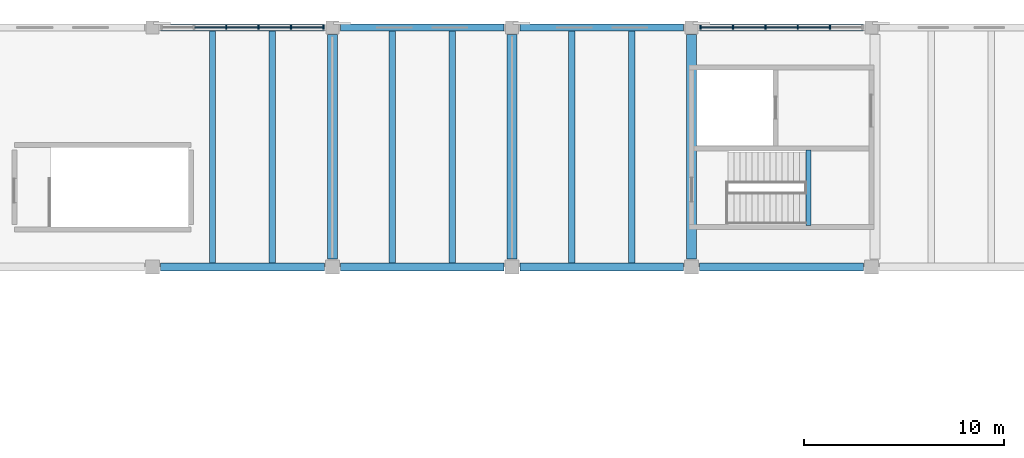
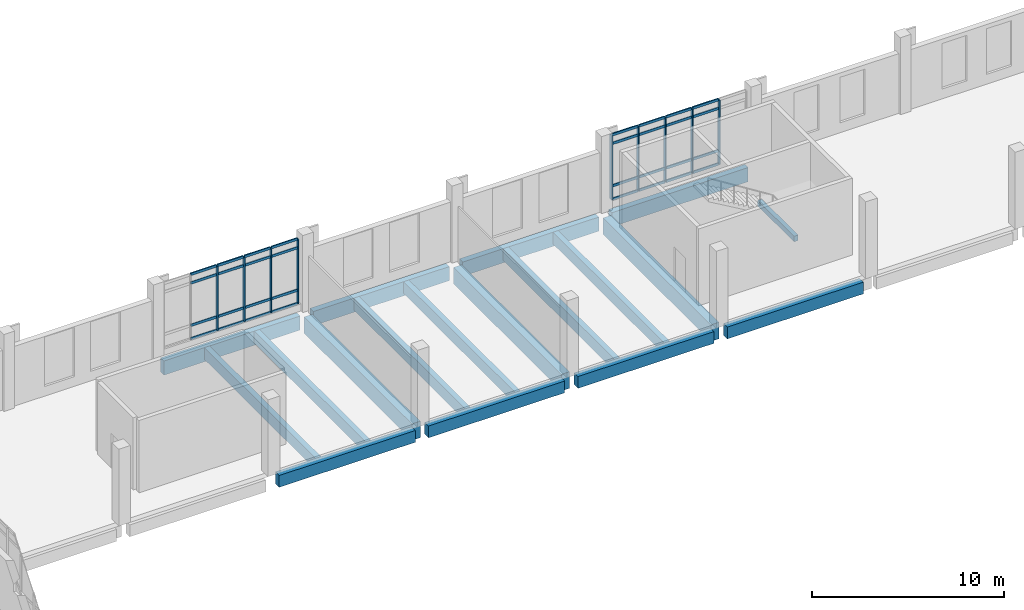
# One storey, part 51 of 110: 41 members, 18 beams, 2 elements without a shape of their own.
"""IFC4 building model written with IfcOpenShell, lengths in metres."""

from ifc_helpers import new_model, si_unit, direction, frame, origin, origin_2d, place, context, subcontext, project, spatial, rectangle, extrude, material, layer, layer_set, material_profile, profile_set, type_object, element, aggregate, save


model = new_model("IFC4")

# Units and contexts
model_context = context("Model", 3, precision=1e-05, world=origin(), true_north=direction((0.0, 1.0)))
body_context = subcontext(model_context, "Body", "Model", "MODEL_VIEW")
ifc_project = project(units=[si_unit("LENGTHUNIT", "METRE"), si_unit("AREAUNIT", "SQUARE_METRE"), si_unit("VOLUMEUNIT", "CUBIC_METRE"), si_unit("PLANEANGLEUNIT", "RADIAN"), si_unit("MASSUNIT", "GRAM", prefix="KILO")], contexts=[model_context])

# Site, building, storey
site_placement = place(None, origin())
site = spatial("IfcSite", under=ifc_project, at=site_placement, CompositionType="ELEMENT")
building_placement = place(site_placement, origin())
building = spatial("IfcBuilding", under=site, at=building_placement, Name="Zacnel Wholesale Market", CompositionType="ELEMENT")
storey_placement = place(building_placement, frame((0.0, 0.0, 6.300048828125)))
storey = spatial("IfcBuildingStorey", under=building, at=storey_placement, Name="L02", CompositionType="ELEMENT", Elevation=6.300048828125)

# Beams
ifc_material_1 = material(Name="Precast concrete C45/55", Category="concrete")
ifc_material_profile_1 = material_profile(ifc_material_1, rectangle(XDim=0.320068359375, YDim=0.75, at=origin_2d()), Name="DT RIB 320x750")
ifc_profile_set_1 = profile_set([ifc_material_profile_1], Name="Precast concrete C45/55")
beam_type_1 = type_object("IfcBeamType", Name="BM-DT750", PredefinedType="JOIST", material=ifc_profile_set_1)
for number, where, z_axis, x_axis, name in (
    (1, (93.0, 132.199951171875, -0.655029296875), (0.0, 1.0, 0.0), (-1.0, 0.0, 0.0), "Precast secondary joist L02-0327"),
    (2, (96.0, 132.199951171875, -0.655029296875), (0.0, 1.0, 0.0), (-1.0, 0.0, 0.0), "Precast secondary joist L02-0328"),
    (3, (102.0, 132.199951171875, -0.655029296875), (0.0, 1.0, 0.0), (-1.0, 0.0, 0.0), "Precast secondary joist L02-0329"),
    (4, (105.0, 132.199951171875, -0.655029296875), (0.0, 1.0, 0.0), (-1.0, 0.0, 0.0), "Precast secondary joist L02-0330"),
    (5, (111.0, 132.199951171875, -0.655029296875), (0.0, 1.0, 0.0), (-1.0, 0.0, 0.0), "Precast secondary joist L02-0331"),
    (6, (114.0, 132.199951171875, -0.655029296875), (0.0, 1.0, 0.0), (-1.0, 0.0, 0.0), "Precast secondary joist L02-0332"),
):
    element("IfcBeam", number, at=place(storey_placement, frame(where, z_axis=z_axis, x_axis=x_axis)), inside=storey, type_object=beam_type_1, Name=name, PredefinedType="JOIST", context=body_context, shape_type="SweptSolid", body=[
        extrude(rectangle(XDim=0.320068359375, YDim=0.75, at=origin_2d()), origin(), (0.0, 0.0, 1.0), 11.625),
    ])
ifc_material_2 = material(Name="Precast concrete C45/55", Category="concrete")
ifc_material_profile_2 = material_profile(ifc_material_2, rectangle(XDim=0.25, YDim=0.35009765625, at=origin_2d()), Name="LN 250x350")
ifc_profile_set_2 = profile_set([ifc_material_profile_2], Name="Precast concrete C45/55")
beam_type_2 = type_object("IfcBeamType", Name="BM-LN350", PredefinedType="LINTEL", material=ifc_profile_set_2)
beam_placement = place(storey_placement, frame((122.860107421875, 134.080078125, 2.074951171875), z_axis=(0.0, 1.0, 0.0), x_axis=(-1.0, 0.0, 0.0)))
element("IfcBeam", 7, at=beam_placement, inside=storey, type_object=beam_type_2, Name="Stair ST-28 half-landing bearing beam", PredefinedType="LINTEL", context=body_context, shape_type="SweptSolid", body=[
    extrude(rectangle(XDim=0.25, YDim=0.35009765625, at=origin_2d()), origin(), (0.0, 0.0, 1.0), 3.7900390625),
])
ifc_material_3 = material(Name="Precast concrete C45/55", Category="concrete")
ifc_material_profile_3 = material_profile(ifc_material_3, rectangle(XDim=0.5, YDim=1.050048828125, at=origin_2d()), Name="PG 500x1050")
ifc_profile_set_3 = profile_set([ifc_material_profile_3], Name="Precast concrete C45/55")
beam_type_3 = type_object("IfcBeamType", Name="BM-PG1050", PredefinedType="T_BEAM", material=ifc_profile_set_3)
for number, where, z_axis, x_axis, name in (
    (8, (99.0, 132.39990234375, -0.804931640625), (0.0, 1.0, 0.0), (-1.0, 0.0, 0.0), "Precast girder Y-0441"),
    (9, (108.0, 132.39990234375, -0.804931640625), (0.0, 1.0, 0.0), (-1.0, 0.0, 0.0), "Precast girder Y-0445"),
    (10, (117.0, 132.39990234375, -0.804931640625), (0.0, 1.0, 0.0), (-1.0, 0.0, 0.0), "Precast girder Y-0452"),
):
    element("IfcBeam", number, at=place(storey_placement, frame(where, z_axis=z_axis, x_axis=x_axis)), inside=storey, type_object=beam_type_3, Name=name, PredefinedType="T_BEAM", context=body_context, shape_type="SweptSolid", body=[
        extrude(rectangle(XDim=0.5, YDim=1.050048828125, at=origin_2d()), origin(), (0.0, 0.0, 1.0), 11.25),
    ])
ifc_material_4 = material(Name="Precast concrete C45/55", Category="concrete")
ifc_material_profile_4 = material_profile(ifc_material_4, rectangle(XDim=0.39990234375, YDim=0.75, at=origin_2d()), Name="PG 400x750")
ifc_profile_set_4 = profile_set([ifc_material_profile_4], Name="Precast concrete C45/55")
beam_type_4 = type_object("IfcBeamType", Name="BM-PG750", PredefinedType="BEAM", material=ifc_profile_set_4)
for number, where, z_axis, x_axis, name in (
    (11, (90.39990234375, 132.0, -0.655029296875), (1.0, 0.0, 0.0), (0.0, 1.0, 0.0), "Precast girder X-0268"),
    (12, (99.39990234375, 132.0, -0.655029296875), (1.0, 0.0, 0.0), (0.0, 1.0, 0.0), "Precast girder X-0269"),
    (13, (108.39990234375, 132.0, -0.655029296875), (1.0, 0.0, 0.0), (0.0, 1.0, 0.0), "Precast girder X-0270"),
    (14, (117.39990234375, 132.0, -0.655029296875), (1.0, 0.0, 0.0), (0.0, 1.0, 0.0), "Precast girder X-0271"),
):
    element("IfcBeam", number, at=place(storey_placement, frame(where, z_axis=z_axis, x_axis=x_axis)), inside=storey, type_object=beam_type_4, Name=name, PredefinedType="BEAM", context=body_context, shape_type="SweptSolid", body=[
        extrude(rectangle(XDim=0.39990234375, YDim=0.75, at=origin_2d()), origin(), (0.0, 0.0, 1.0), 8.2001953125),
    ])
ifc_material_5 = material(Name="Precast concrete C45/55", Category="concrete")
ifc_material_profile_5 = material_profile(ifc_material_5, rectangle(XDim=0.35009765625, YDim=0.89990234375, at=origin_2d()), Name="SP 350x900")
ifc_profile_set_5 = profile_set([ifc_material_profile_5], Name="Precast concrete C45/55")
beam_type_5 = type_object("IfcBeamType", Name="BM-SP900", PredefinedType="SPANDREL", material=ifc_profile_set_5)
for number, where, z_axis, x_axis, name in (
    (15, (90.39990234375, 144.0, -0.72998046875), (1.0, 0.0, 0.0), (0.0, 1.0, 0.0), "Precast girder X-0289"),
    (16, (99.39990234375, 144.0, -0.72998046875), (1.0, 0.0, 0.0), (0.0, 1.0, 0.0), "Precast girder X-0290"),
    (17, (108.39990234375, 144.0, -0.72998046875), (1.0, 0.0, 0.0), (0.0, 1.0, 0.0), "Precast girder X-0291"),
    (18, (117.39990234375, 144.0, -0.72998046875), (1.0, 0.0, 0.0), (0.0, 1.0, 0.0), "Precast girder X-0292"),
):
    element("IfcBeam", number, at=place(storey_placement, frame(where, z_axis=z_axis, x_axis=x_axis)), inside=storey, type_object=beam_type_5, Name=name, PredefinedType="SPANDREL", context=body_context, shape_type="SweptSolid", body=[
        extrude(rectangle(XDim=0.35009765625, YDim=0.89990234375, at=origin_2d()), origin(), (0.0, 0.0, 1.0), 8.2001953125),
    ])

# Curtain wall, members
ifc_material_6 = material(Name="Anodised aluminium", Category="aluminium")
ifc_layer = layer(ifc_material_6, 0.159912109375)
ifc_layer_set = layer_set([ifc_layer], Name="Anodised aluminium")
curtain_wall_type = type_object("IfcCurtainWallType", Name="CW-COURT-4500", PredefinedType="NOTDEFINED", material=ifc_layer_set)
curtain_wall_1_placement = place(storey_placement, origin())
curtain_wall_1 = element("IfcCurtainWall", 19, at=curtain_wall_1_placement, inside=storey, type_object=curtain_wall_type, Name="Curtain wall ENV-R2-CW-L02-035", PredefinedType="NOTDEFINED")
ifc_material_7 = material(Name="Anodised aluminium", Category="aluminium")
ifc_material_profile_6 = material_profile(ifc_material_7, rectangle(XDim=0.070068359375, YDim=0.199951171875, at=origin_2d()), Name="AW-MULLION 70x200")
ifc_profile_set_6 = profile_set([ifc_material_profile_6], Name="Anodised aluminium")
member_type_1 = type_object("IfcMemberType", Name="CWM-MUL-02", PredefinedType="MULLION", material=ifc_profile_set_6)
member_1_placement = place(storey_placement, frame((93.68994140625, 144.0, 0.449951171875), z_axis=(0.0, 0.0, 1.0), x_axis=(1.0, 0.0, 0.0)))
member_1 = element("IfcMember", 20, at=member_1_placement, type_object=member_type_1, Name="ENV-R2-CW-L02-035 mullion 03", PredefinedType="MULLION", context=body_context, shape_type="SweptSolid", body=[
    extrude(rectangle(XDim=0.070068359375, YDim=0.199951171875, at=origin_2d()), origin(), (0.0, 0.0, 1.0), 4.10009765625),
])
member_2_placement = place(storey_placement, frame((95.31005859375, 144.0, 0.449951171875), z_axis=(0.0, 0.0, 1.0), x_axis=(1.0, 0.0, 0.0)))
member_2 = element("IfcMember", 21, at=member_2_placement, type_object=member_type_1, Name="ENV-R2-CW-L02-035 mullion 04", PredefinedType="MULLION", context=body_context, shape_type="SweptSolid", body=[
    extrude(rectangle(XDim=0.070068359375, YDim=0.199951171875, at=origin_2d()), origin(), (0.0, 0.0, 1.0), 4.10009765625),
])
member_3_placement = place(storey_placement, frame((96.929931640625, 144.0, 0.449951171875), z_axis=(0.0, 0.0, 1.0), x_axis=(1.0, 0.0, 0.0)))
member_3 = element("IfcMember", 22, at=member_3_placement, type_object=member_type_1, Name="ENV-R2-CW-L02-035 mullion 05", PredefinedType="MULLION", context=body_context, shape_type="SweptSolid", body=[
    extrude(rectangle(XDim=0.070068359375, YDim=0.199951171875, at=origin_2d()), origin(), (0.0, 0.0, 1.0), 4.10009765625),
])
member_4_placement = place(storey_placement, frame((98.550048828125, 144.0, 0.449951171875), z_axis=(0.0, 0.0, 1.0), x_axis=(1.0, 0.0, 0.0)))
member_4 = element("IfcMember", 23, at=member_4_placement, type_object=member_type_1, Name="ENV-R2-CW-L02-035 mullion 06", PredefinedType="MULLION", context=body_context, shape_type="SweptSolid", body=[
    extrude(rectangle(XDim=0.070068359375, YDim=0.199951171875, at=origin_2d()), origin(), (0.0, 0.0, 1.0), 4.10009765625),
])

curtain_wall_2_placement = place(storey_placement, origin())
curtain_wall_2 = element("IfcCurtainWall", 24, at=curtain_wall_2_placement, inside=storey, type_object=curtain_wall_type, Name="Curtain wall ENV-R2-CW-L02-036", PredefinedType="NOTDEFINED")
member_5_placement = place(storey_placement, frame((117.449951171875, 144.0, 0.449951171875), z_axis=(0.0, 0.0, 1.0), x_axis=(1.0, 0.0, 0.0)))
member_5 = element("IfcMember", 25, at=member_5_placement, type_object=member_type_1, Name="ENV-R2-CW-L02-036 mullion 01", PredefinedType="MULLION", context=body_context, shape_type="SweptSolid", body=[
    extrude(rectangle(XDim=0.070068359375, YDim=0.199951171875, at=origin_2d()), origin(), (0.0, 0.0, 1.0), 4.10009765625),
])
member_6_placement = place(storey_placement, frame((119.070068359375, 144.0, 0.449951171875), z_axis=(0.0, 0.0, 1.0), x_axis=(1.0, 0.0, 0.0)))
member_6 = element("IfcMember", 26, at=member_6_placement, type_object=member_type_1, Name="ENV-R2-CW-L02-036 mullion 02", PredefinedType="MULLION", context=body_context, shape_type="SweptSolid", body=[
    extrude(rectangle(XDim=0.070068359375, YDim=0.199951171875, at=origin_2d()), origin(), (0.0, 0.0, 1.0), 4.10009765625),
])
member_7_placement = place(storey_placement, frame((120.68994140625, 144.0, 0.449951171875), z_axis=(0.0, 0.0, 1.0), x_axis=(1.0, 0.0, 0.0)))
member_7 = element("IfcMember", 27, at=member_7_placement, type_object=member_type_1, Name="ENV-R2-CW-L02-036 mullion 03", PredefinedType="MULLION", context=body_context, shape_type="SweptSolid", body=[
    extrude(rectangle(XDim=0.070068359375, YDim=0.199951171875, at=origin_2d()), origin(), (0.0, 0.0, 1.0), 4.10009765625),
])
member_8_placement = place(storey_placement, frame((122.31005859375, 144.0, 0.449951171875), z_axis=(0.0, 0.0, 1.0), x_axis=(1.0, 0.0, 0.0)))
member_8 = element("IfcMember", 28, at=member_8_placement, type_object=member_type_1, Name="ENV-R2-CW-L02-036 mullion 04", PredefinedType="MULLION", context=body_context, shape_type="SweptSolid", body=[
    extrude(rectangle(XDim=0.070068359375, YDim=0.199951171875, at=origin_2d()), origin(), (0.0, 0.0, 1.0), 4.10009765625),
])
member_9_placement = place(storey_placement, frame((123.929931640625, 144.0, 0.449951171875), z_axis=(0.0, 0.0, 1.0), x_axis=(1.0, 0.0, 0.0)))
member_9 = element("IfcMember", 29, at=member_9_placement, type_object=member_type_1, Name="ENV-R2-CW-L02-036 mullion 05", PredefinedType="MULLION", context=body_context, shape_type="SweptSolid", body=[
    extrude(rectangle(XDim=0.070068359375, YDim=0.199951171875, at=origin_2d()), origin(), (0.0, 0.0, 1.0), 4.10009765625),
])

# Member
ifc_material_8 = material(Name="Anodised aluminium", Category="aluminium")
ifc_material_profile_7 = material_profile(ifc_material_8, rectangle(XDim=0.070068359375, YDim=0.159912109375, at=origin_2d()), Name="AW-TRANSOM 70x160")
ifc_profile_set_7 = profile_set([ifc_material_profile_7], Name="Anodised aluminium")
member_type_2 = type_object("IfcMemberType", Name="CWM-TRN-02", PredefinedType="USERDEFINED", material=ifc_profile_set_7)
member_10_placement = place(storey_placement, frame((92.10498046875, 144.0, 0.449951171875), z_axis=(1.0, 0.0, 0.0), x_axis=(0.0, 1.0, 0.0)))
member_10 = element("IfcMember", 30, at=member_10_placement, type_object=member_type_2, Name="ENV-R2-CW-L02-035 transom 2-1", ObjectType="TRANSOM", PredefinedType="USERDEFINED", context=body_context, shape_type="SweptSolid", body=[
    extrude(rectangle(XDim=0.070068359375, YDim=0.159912109375, at=origin_2d()), origin(), (0.0, 0.0, 1.0), 1.550048828125),
])

member_11_placement = place(storey_placement, frame((92.10498046875, 144.0, 1.300048828125), z_axis=(1.0, 0.0, 0.0), x_axis=(0.0, 1.0, 0.0)))
member_11 = element("IfcMember", 31, at=member_11_placement, type_object=member_type_2, Name="ENV-R2-CW-L02-035 transom 2-2", ObjectType="TRANSOM", PredefinedType="USERDEFINED", context=body_context, shape_type="SweptSolid", body=[
    extrude(rectangle(XDim=0.070068359375, YDim=0.159912109375, at=origin_2d()), origin(), (0.0, 0.0, 1.0), 1.550048828125),
])

member_12_placement = place(storey_placement, frame((92.10498046875, 144.0, 4.0), z_axis=(1.0, 0.0, 0.0), x_axis=(0.0, 1.0, 0.0)))
member_12 = element("IfcMember", 32, at=member_12_placement, type_object=member_type_2, Name="ENV-R2-CW-L02-035 transom 2-3", ObjectType="TRANSOM", PredefinedType="USERDEFINED", context=body_context, shape_type="SweptSolid", body=[
    extrude(rectangle(XDim=0.070068359375, YDim=0.159912109375, at=origin_2d()), origin(), (0.0, 0.0, 1.0), 1.550048828125),
])

member_13_placement = place(storey_placement, frame((92.10498046875, 144.0, 4.550048828125), z_axis=(1.0, 0.0, 0.0), x_axis=(0.0, 1.0, 0.0)))
member_13 = element("IfcMember", 33, at=member_13_placement, type_object=member_type_2, Name="ENV-R2-CW-L02-035 transom 2-4", ObjectType="TRANSOM", PredefinedType="USERDEFINED", context=body_context, shape_type="SweptSolid", body=[
    extrude(rectangle(XDim=0.070068359375, YDim=0.159912109375, at=origin_2d()), origin(), (0.0, 0.0, 1.0), 1.550048828125),
])

member_14_placement = place(storey_placement, frame((93.72509765625, 144.0, 0.449951171875), z_axis=(1.0, 0.0, 0.0), x_axis=(0.0, 1.0, 0.0)))
member_14 = element("IfcMember", 34, at=member_14_placement, type_object=member_type_2, Name="ENV-R2-CW-L02-035 transom 3-1", ObjectType="TRANSOM", PredefinedType="USERDEFINED", context=body_context, shape_type="SweptSolid", body=[
    extrude(rectangle(XDim=0.070068359375, YDim=0.159912109375, at=origin_2d()), origin(), (0.0, 0.0, 1.0), 1.5498046875),
])

member_15_placement = place(storey_placement, frame((93.72509765625, 144.0, 1.300048828125), z_axis=(1.0, 0.0, 0.0), x_axis=(0.0, 1.0, 0.0)))
member_15 = element("IfcMember", 35, at=member_15_placement, type_object=member_type_2, Name="ENV-R2-CW-L02-035 transom 3-2", ObjectType="TRANSOM", PredefinedType="USERDEFINED", context=body_context, shape_type="SweptSolid", body=[
    extrude(rectangle(XDim=0.070068359375, YDim=0.159912109375, at=origin_2d()), origin(), (0.0, 0.0, 1.0), 1.5498046875),
])

member_16_placement = place(storey_placement, frame((93.72509765625, 144.0, 4.0), z_axis=(1.0, 0.0, 0.0), x_axis=(0.0, 1.0, 0.0)))
member_16 = element("IfcMember", 36, at=member_16_placement, type_object=member_type_2, Name="ENV-R2-CW-L02-035 transom 3-3", ObjectType="TRANSOM", PredefinedType="USERDEFINED", context=body_context, shape_type="SweptSolid", body=[
    extrude(rectangle(XDim=0.070068359375, YDim=0.159912109375, at=origin_2d()), origin(), (0.0, 0.0, 1.0), 1.5498046875),
])

member_17_placement = place(storey_placement, frame((93.72509765625, 144.0, 4.550048828125), z_axis=(1.0, 0.0, 0.0), x_axis=(0.0, 1.0, 0.0)))
member_17 = element("IfcMember", 37, at=member_17_placement, type_object=member_type_2, Name="ENV-R2-CW-L02-035 transom 3-4", ObjectType="TRANSOM", PredefinedType="USERDEFINED", context=body_context, shape_type="SweptSolid", body=[
    extrude(rectangle(XDim=0.070068359375, YDim=0.159912109375, at=origin_2d()), origin(), (0.0, 0.0, 1.0), 1.5498046875),
])

member_18_placement = place(storey_placement, frame((95.344970703125, 144.0, 0.449951171875), z_axis=(1.0, 0.0, 0.0), x_axis=(0.0, 1.0, 0.0)))
member_18 = element("IfcMember", 38, at=member_18_placement, type_object=member_type_2, Name="ENV-R2-CW-L02-035 transom 4-1", ObjectType="TRANSOM", PredefinedType="USERDEFINED", context=body_context, shape_type="SweptSolid", body=[
    extrude(rectangle(XDim=0.070068359375, YDim=0.159912109375, at=origin_2d()), origin(), (0.0, 0.0, 1.0), 1.550048828125),
])

member_19_placement = place(storey_placement, frame((95.344970703125, 144.0, 1.300048828125), z_axis=(1.0, 0.0, 0.0), x_axis=(0.0, 1.0, 0.0)))
member_19 = element("IfcMember", 39, at=member_19_placement, type_object=member_type_2, Name="ENV-R2-CW-L02-035 transom 4-2", ObjectType="TRANSOM", PredefinedType="USERDEFINED", context=body_context, shape_type="SweptSolid", body=[
    extrude(rectangle(XDim=0.070068359375, YDim=0.159912109375, at=origin_2d()), origin(), (0.0, 0.0, 1.0), 1.550048828125),
])

member_20_placement = place(storey_placement, frame((95.344970703125, 144.0, 4.0), z_axis=(1.0, 0.0, 0.0), x_axis=(0.0, 1.0, 0.0)))
member_20 = element("IfcMember", 40, at=member_20_placement, type_object=member_type_2, Name="ENV-R2-CW-L02-035 transom 4-3", ObjectType="TRANSOM", PredefinedType="USERDEFINED", context=body_context, shape_type="SweptSolid", body=[
    extrude(rectangle(XDim=0.070068359375, YDim=0.159912109375, at=origin_2d()), origin(), (0.0, 0.0, 1.0), 1.550048828125),
])

member_21_placement = place(storey_placement, frame((95.344970703125, 144.0, 4.550048828125), z_axis=(1.0, 0.0, 0.0), x_axis=(0.0, 1.0, 0.0)))
member_21 = element("IfcMember", 41, at=member_21_placement, type_object=member_type_2, Name="ENV-R2-CW-L02-035 transom 4-4", ObjectType="TRANSOM", PredefinedType="USERDEFINED", context=body_context, shape_type="SweptSolid", body=[
    extrude(rectangle(XDim=0.070068359375, YDim=0.159912109375, at=origin_2d()), origin(), (0.0, 0.0, 1.0), 1.550048828125),
])

member_22_placement = place(storey_placement, frame((96.965087890625, 144.0, 0.449951171875), z_axis=(1.0, 0.0, 0.0), x_axis=(0.0, 1.0, 0.0)))
member_22 = element("IfcMember", 42, at=member_22_placement, type_object=member_type_2, Name="ENV-R2-CW-L02-035 transom 5-1", ObjectType="TRANSOM", PredefinedType="USERDEFINED", context=body_context, shape_type="SweptSolid", body=[
    extrude(rectangle(XDim=0.070068359375, YDim=0.159912109375, at=origin_2d()), origin(), (0.0, 0.0, 1.0), 1.5498046875),
])

member_23_placement = place(storey_placement, frame((96.965087890625, 144.0, 1.300048828125), z_axis=(1.0, 0.0, 0.0), x_axis=(0.0, 1.0, 0.0)))
member_23 = element("IfcMember", 43, at=member_23_placement, type_object=member_type_2, Name="ENV-R2-CW-L02-035 transom 5-2", ObjectType="TRANSOM", PredefinedType="USERDEFINED", context=body_context, shape_type="SweptSolid", body=[
    extrude(rectangle(XDim=0.070068359375, YDim=0.159912109375, at=origin_2d()), origin(), (0.0, 0.0, 1.0), 1.5498046875),
])

member_24_placement = place(storey_placement, frame((96.965087890625, 144.0, 4.0), z_axis=(1.0, 0.0, 0.0), x_axis=(0.0, 1.0, 0.0)))
member_24 = element("IfcMember", 44, at=member_24_placement, type_object=member_type_2, Name="ENV-R2-CW-L02-035 transom 5-3", ObjectType="TRANSOM", PredefinedType="USERDEFINED", context=body_context, shape_type="SweptSolid", body=[
    extrude(rectangle(XDim=0.070068359375, YDim=0.159912109375, at=origin_2d()), origin(), (0.0, 0.0, 1.0), 1.5498046875),
])

member_25_placement = place(storey_placement, frame((96.965087890625, 144.0, 4.550048828125), z_axis=(1.0, 0.0, 0.0), x_axis=(0.0, 1.0, 0.0)))
member_25 = element("IfcMember", 45, at=member_25_placement, type_object=member_type_2, Name="ENV-R2-CW-L02-035 transom 5-4", ObjectType="TRANSOM", PredefinedType="USERDEFINED", context=body_context, shape_type="SweptSolid", body=[
    extrude(rectangle(XDim=0.070068359375, YDim=0.159912109375, at=origin_2d()), origin(), (0.0, 0.0, 1.0), 1.5498046875),
])

aggregate(curtain_wall_1, [member_1, member_2, member_3, member_4, member_10, member_11, member_12, member_13, member_14, member_15, member_16, member_17, member_18, member_19, member_20, member_21, member_22, member_23, member_24, member_25])

member_26_placement = place(storey_placement, frame((117.485107421875, 144.0, 0.449951171875), z_axis=(1.0, 0.0, 0.0), x_axis=(0.0, 1.0, 0.0)))
member_26 = element("IfcMember", 46, at=member_26_placement, type_object=member_type_2, Name="ENV-R2-CW-L02-036 transom 1-1", ObjectType="TRANSOM", PredefinedType="USERDEFINED", context=body_context, shape_type="SweptSolid", body=[
    extrude(rectangle(XDim=0.070068359375, YDim=0.159912109375, at=origin_2d()), origin(), (0.0, 0.0, 1.0), 1.5498046875),
])

member_27_placement = place(storey_placement, frame((117.485107421875, 144.0, 1.300048828125), z_axis=(1.0, 0.0, 0.0), x_axis=(0.0, 1.0, 0.0)))
member_27 = element("IfcMember", 47, at=member_27_placement, type_object=member_type_2, Name="ENV-R2-CW-L02-036 transom 1-2", ObjectType="TRANSOM", PredefinedType="USERDEFINED", context=body_context, shape_type="SweptSolid", body=[
    extrude(rectangle(XDim=0.070068359375, YDim=0.159912109375, at=origin_2d()), origin(), (0.0, 0.0, 1.0), 1.5498046875),
])

member_28_placement = place(storey_placement, frame((117.485107421875, 144.0, 4.0), z_axis=(1.0, 0.0, 0.0), x_axis=(0.0, 1.0, 0.0)))
member_28 = element("IfcMember", 48, at=member_28_placement, type_object=member_type_2, Name="ENV-R2-CW-L02-036 transom 1-3", ObjectType="TRANSOM", PredefinedType="USERDEFINED", context=body_context, shape_type="SweptSolid", body=[
    extrude(rectangle(XDim=0.070068359375, YDim=0.159912109375, at=origin_2d()), origin(), (0.0, 0.0, 1.0), 1.5498046875),
])

member_29_placement = place(storey_placement, frame((117.485107421875, 144.0, 4.550048828125), z_axis=(1.0, 0.0, 0.0), x_axis=(0.0, 1.0, 0.0)))
member_29 = element("IfcMember", 49, at=member_29_placement, type_object=member_type_2, Name="ENV-R2-CW-L02-036 transom 1-4", ObjectType="TRANSOM", PredefinedType="USERDEFINED", context=body_context, shape_type="SweptSolid", body=[
    extrude(rectangle(XDim=0.070068359375, YDim=0.159912109375, at=origin_2d()), origin(), (0.0, 0.0, 1.0), 1.5498046875),
])

member_30_placement = place(storey_placement, frame((119.10498046875, 144.0, 0.449951171875), z_axis=(1.0, 0.0, 0.0), x_axis=(0.0, 1.0, 0.0)))
member_30 = element("IfcMember", 50, at=member_30_placement, type_object=member_type_2, Name="ENV-R2-CW-L02-036 transom 2-1", ObjectType="TRANSOM", PredefinedType="USERDEFINED", context=body_context, shape_type="SweptSolid", body=[
    extrude(rectangle(XDim=0.070068359375, YDim=0.159912109375, at=origin_2d()), origin(), (0.0, 0.0, 1.0), 1.550048828125),
])

member_31_placement = place(storey_placement, frame((119.10498046875, 144.0, 1.300048828125), z_axis=(1.0, 0.0, 0.0), x_axis=(0.0, 1.0, 0.0)))
member_31 = element("IfcMember", 51, at=member_31_placement, type_object=member_type_2, Name="ENV-R2-CW-L02-036 transom 2-2", ObjectType="TRANSOM", PredefinedType="USERDEFINED", context=body_context, shape_type="SweptSolid", body=[
    extrude(rectangle(XDim=0.070068359375, YDim=0.159912109375, at=origin_2d()), origin(), (0.0, 0.0, 1.0), 1.550048828125),
])

member_32_placement = place(storey_placement, frame((119.10498046875, 144.0, 4.0), z_axis=(1.0, 0.0, 0.0), x_axis=(0.0, 1.0, 0.0)))
member_32 = element("IfcMember", 52, at=member_32_placement, type_object=member_type_2, Name="ENV-R2-CW-L02-036 transom 2-3", ObjectType="TRANSOM", PredefinedType="USERDEFINED", context=body_context, shape_type="SweptSolid", body=[
    extrude(rectangle(XDim=0.070068359375, YDim=0.159912109375, at=origin_2d()), origin(), (0.0, 0.0, 1.0), 1.550048828125),
])

member_33_placement = place(storey_placement, frame((119.10498046875, 144.0, 4.550048828125), z_axis=(1.0, 0.0, 0.0), x_axis=(0.0, 1.0, 0.0)))
member_33 = element("IfcMember", 53, at=member_33_placement, type_object=member_type_2, Name="ENV-R2-CW-L02-036 transom 2-4", ObjectType="TRANSOM", PredefinedType="USERDEFINED", context=body_context, shape_type="SweptSolid", body=[
    extrude(rectangle(XDim=0.070068359375, YDim=0.159912109375, at=origin_2d()), origin(), (0.0, 0.0, 1.0), 1.550048828125),
])

member_34_placement = place(storey_placement, frame((120.72509765625, 144.0, 0.449951171875), z_axis=(1.0, 0.0, 0.0), x_axis=(0.0, 1.0, 0.0)))
member_34 = element("IfcMember", 54, at=member_34_placement, type_object=member_type_2, Name="ENV-R2-CW-L02-036 transom 3-1", ObjectType="TRANSOM", PredefinedType="USERDEFINED", context=body_context, shape_type="SweptSolid", body=[
    extrude(rectangle(XDim=0.070068359375, YDim=0.159912109375, at=origin_2d()), origin(), (0.0, 0.0, 1.0), 1.5498046875),
])

member_35_placement = place(storey_placement, frame((120.72509765625, 144.0, 1.300048828125), z_axis=(1.0, 0.0, 0.0), x_axis=(0.0, 1.0, 0.0)))
member_35 = element("IfcMember", 55, at=member_35_placement, type_object=member_type_2, Name="ENV-R2-CW-L02-036 transom 3-2", ObjectType="TRANSOM", PredefinedType="USERDEFINED", context=body_context, shape_type="SweptSolid", body=[
    extrude(rectangle(XDim=0.070068359375, YDim=0.159912109375, at=origin_2d()), origin(), (0.0, 0.0, 1.0), 1.5498046875),
])

member_36_placement = place(storey_placement, frame((120.72509765625, 144.0, 4.0), z_axis=(1.0, 0.0, 0.0), x_axis=(0.0, 1.0, 0.0)))
member_36 = element("IfcMember", 56, at=member_36_placement, type_object=member_type_2, Name="ENV-R2-CW-L02-036 transom 3-3", ObjectType="TRANSOM", PredefinedType="USERDEFINED", context=body_context, shape_type="SweptSolid", body=[
    extrude(rectangle(XDim=0.070068359375, YDim=0.159912109375, at=origin_2d()), origin(), (0.0, 0.0, 1.0), 1.5498046875),
])

member_37_placement = place(storey_placement, frame((120.72509765625, 144.0, 4.550048828125), z_axis=(1.0, 0.0, 0.0), x_axis=(0.0, 1.0, 0.0)))
member_37 = element("IfcMember", 57, at=member_37_placement, type_object=member_type_2, Name="ENV-R2-CW-L02-036 transom 3-4", ObjectType="TRANSOM", PredefinedType="USERDEFINED", context=body_context, shape_type="SweptSolid", body=[
    extrude(rectangle(XDim=0.070068359375, YDim=0.159912109375, at=origin_2d()), origin(), (0.0, 0.0, 1.0), 1.5498046875),
])

member_38_placement = place(storey_placement, frame((122.344970703125, 144.0, 0.449951171875), z_axis=(1.0, 0.0, 0.0), x_axis=(0.0, 1.0, 0.0)))
member_38 = element("IfcMember", 58, at=member_38_placement, type_object=member_type_2, Name="ENV-R2-CW-L02-036 transom 4-1", ObjectType="TRANSOM", PredefinedType="USERDEFINED", context=body_context, shape_type="SweptSolid", body=[
    extrude(rectangle(XDim=0.070068359375, YDim=0.159912109375, at=origin_2d()), origin(), (0.0, 0.0, 1.0), 1.550048828125),
])

member_39_placement = place(storey_placement, frame((122.344970703125, 144.0, 1.300048828125), z_axis=(1.0, 0.0, 0.0), x_axis=(0.0, 1.0, 0.0)))
member_39 = element("IfcMember", 59, at=member_39_placement, type_object=member_type_2, Name="ENV-R2-CW-L02-036 transom 4-2", ObjectType="TRANSOM", PredefinedType="USERDEFINED", context=body_context, shape_type="SweptSolid", body=[
    extrude(rectangle(XDim=0.070068359375, YDim=0.159912109375, at=origin_2d()), origin(), (0.0, 0.0, 1.0), 1.550048828125),
])

member_40_placement = place(storey_placement, frame((122.344970703125, 144.0, 4.0), z_axis=(1.0, 0.0, 0.0), x_axis=(0.0, 1.0, 0.0)))
member_40 = element("IfcMember", 60, at=member_40_placement, type_object=member_type_2, Name="ENV-R2-CW-L02-036 transom 4-3", ObjectType="TRANSOM", PredefinedType="USERDEFINED", context=body_context, shape_type="SweptSolid", body=[
    extrude(rectangle(XDim=0.070068359375, YDim=0.159912109375, at=origin_2d()), origin(), (0.0, 0.0, 1.0), 1.550048828125),
])

member_41_placement = place(storey_placement, frame((122.344970703125, 144.0, 4.550048828125), z_axis=(1.0, 0.0, 0.0), x_axis=(0.0, 1.0, 0.0)))
member_41 = element("IfcMember", 61, at=member_41_placement, type_object=member_type_2, Name="ENV-R2-CW-L02-036 transom 4-4", ObjectType="TRANSOM", PredefinedType="USERDEFINED", context=body_context, shape_type="SweptSolid", body=[
    extrude(rectangle(XDim=0.070068359375, YDim=0.159912109375, at=origin_2d()), origin(), (0.0, 0.0, 1.0), 1.550048828125),
])

aggregate(curtain_wall_2, [member_5, member_6, member_7, member_8, member_9, member_26, member_27, member_28, member_29, member_30, member_31, member_32, member_33, member_34, member_35, member_36, member_37, member_38, member_39, member_40, member_41])

save(model, "model.ifc")
